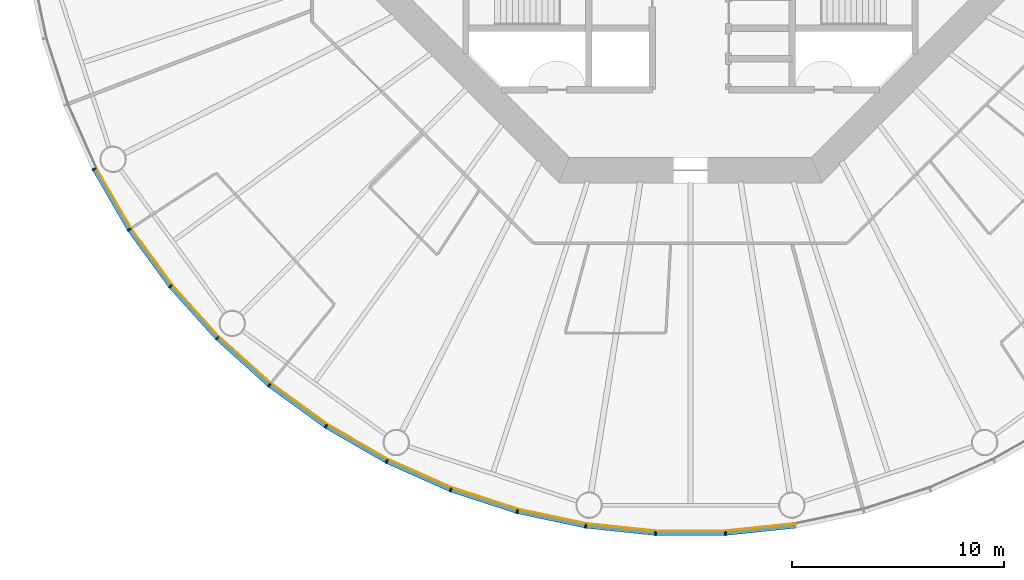
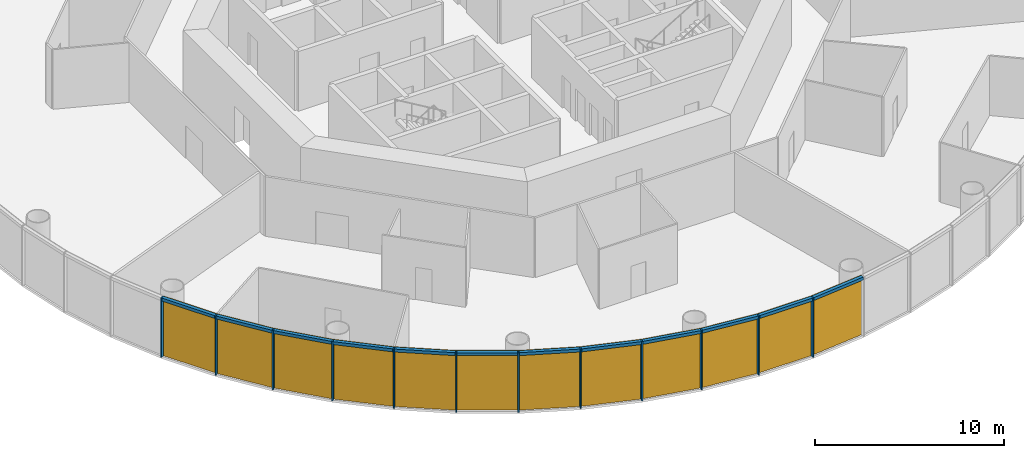
# One storey, part 7 of 13: 24 members, 4 curtain walls.
"""IFC4 building model written with IfcOpenShell, lengths in metres."""

from ifc_helpers import new_model, si_unit, direction, frame, origin, origin_2d, place, context, subcontext, project, spatial, polyline, rectangle, outline, extrude, material, layer, layer_set, material_profile, profile_set, type_object, element, aggregate, save


model = new_model("IFC4")

# Units and contexts
model_context = context("Model", 3, precision=1e-05, world=origin(), true_north=direction((0.0, 1.0)))
body_context = subcontext(model_context, "Body", "Model", "MODEL_VIEW")
ifc_project = project(units=[si_unit("LENGTHUNIT", "METRE"), si_unit("AREAUNIT", "SQUARE_METRE"), si_unit("VOLUMEUNIT", "CUBIC_METRE"), si_unit("PLANEANGLEUNIT", "RADIAN"), si_unit("MASSUNIT", "GRAM", prefix="KILO")], contexts=[model_context])

# Member
ifc_material_1 = material(Name="Anodised aluminium", Category="aluminium")
ifc_material_profile_1 = material_profile(ifc_material_1, rectangle(XDim=0.070068359375, YDim=0.199951171875, at=origin_2d()), Name="Mullion 70 x 200 mm anodised aluminium")
ifc_profile_set_1 = profile_set([ifc_material_profile_1], Name="Anodised aluminium")
member_type_1 = type_object("IfcMemberType", Name="Mullion 70 x 200 mm anodised aluminium", PredefinedType="MULLION", material=ifc_profile_set_1)
site_placement = place(None, origin())
building_placement = place(site_placement, origin())
storey_placement = place(building_placement, frame((0.0, 0.0, 120.0)))
member_1_placement = place(storey_placement, frame((61.84423828125, 65.65380859375, 0.0), z_axis=(0.0, 0.0, 1.0), x_axis=(0.45399049974, -0.891006524188, 0.0)))
member_1 = element("IfcMember", 1, at=member_1_placement, type_object=member_type_1, Name="MULLION L27-33", PredefinedType="MULLION", context=body_context, shape_type="SweptSolid", body=[
    extrude(rectangle(XDim=0.070068359375, YDim=0.199951171875, at=origin_2d()), origin(), (0.0, 0.0, 1.0), 3.85009765625),
])

member_2_placement = place(storey_placement, frame((63.498046875, 62.789306640625, 0.0), z_axis=(0.0, 0.0, 1.0), x_axis=(0.544639035015, -0.838670567945, 0.0)))
member_2 = element("IfcMember", 2, at=member_2_placement, type_object=member_type_1, Name="MULLION L27-34", PredefinedType="MULLION", context=body_context, shape_type="SweptSolid", body=[
    extrude(rectangle(XDim=0.070068359375, YDim=0.199951171875, at=origin_2d()), origin(), (0.0, 0.0, 1.0), 3.85009765625),
])

member_3_placement = place(storey_placement, frame((65.442138671875, 60.113525390625, 0.0), z_axis=(0.0, 0.0, 1.0), x_axis=(0.62932039105, -0.777145961457, 0.0)))
member_3 = element("IfcMember", 3, at=member_3_placement, type_object=member_type_1, Name="MULLION L27-35", PredefinedType="MULLION", context=body_context, shape_type="SweptSolid", body=[
    extrude(rectangle(XDim=0.070068359375, YDim=0.199951171875, at=origin_2d()), origin(), (0.0, 0.0, 1.0), 3.85009765625),
])

member_4_placement = place(storey_placement, frame((67.655517578125, 57.655517578125, 0.0), z_axis=(0.0, 0.0, 1.0), x_axis=(0.707106781187, -0.707106781187, 0.0)))
member_4 = element("IfcMember", 4, at=member_4_placement, type_object=member_type_1, Name="MULLION L27-36", PredefinedType="MULLION", context=body_context, shape_type="SweptSolid", body=[
    extrude(rectangle(XDim=0.070068359375, YDim=0.199951171875, at=origin_2d()), origin(), (0.0, 0.0, 1.0), 3.85009765625),
])

member_5_placement = place(storey_placement, frame((70.113525390625, 55.442138671875, 0.0), z_axis=(0.0, 0.0, 1.0), x_axis=(0.777145961457, -0.62932039105, 0.0)))
member_5 = element("IfcMember", 5, at=member_5_placement, type_object=member_type_1, Name="MULLION L27-37", PredefinedType="MULLION", context=body_context, shape_type="SweptSolid", body=[
    extrude(rectangle(XDim=0.070068359375, YDim=0.199951171875, at=origin_2d()), origin(), (0.0, 0.0, 1.0), 3.85009765625),
])

member_6_placement = place(storey_placement, frame((72.789306640625, 53.498046875, 0.0), z_axis=(0.0, 0.0, 1.0), x_axis=(0.838670567945, -0.544639035015, 0.0)))
member_6 = element("IfcMember", 6, at=member_6_placement, type_object=member_type_1, Name="MULLION L27-38", PredefinedType="MULLION", context=body_context, shape_type="SweptSolid", body=[
    extrude(rectangle(XDim=0.070068359375, YDim=0.199951171875, at=origin_2d()), origin(), (0.0, 0.0, 1.0), 3.85009765625),
])

member_7_placement = place(storey_placement, frame((75.65380859375, 51.84423828125, 0.0), z_axis=(0.0, 0.0, 1.0), x_axis=(0.891006524188, -0.45399049974, 0.0)))
member_7 = element("IfcMember", 7, at=member_7_placement, type_object=member_type_1, Name="MULLION L27-39", PredefinedType="MULLION", context=body_context, shape_type="SweptSolid", body=[
    extrude(rectangle(XDim=0.070068359375, YDim=0.199951171875, at=origin_2d()), origin(), (0.0, 0.0, 1.0), 3.85009765625),
])

member_8_placement = place(storey_placement, frame((78.675537109375, 50.498779296875, 0.0), z_axis=(0.0, 0.0, 1.0), x_axis=(0.933580426497, -0.358367949545, 0.0)))
member_8 = element("IfcMember", 8, at=member_8_placement, type_object=member_type_1, Name="MULLION L27-40", PredefinedType="MULLION", context=body_context, shape_type="SweptSolid", body=[
    extrude(rectangle(XDim=0.070068359375, YDim=0.199951171875, at=origin_2d()), origin(), (0.0, 0.0, 1.0), 3.85009765625),
])

member_9_placement = place(storey_placement, frame((81.8212890625, 49.476806640625, 0.0), z_axis=(0.0, 0.0, 1.0), x_axis=(0.965925826289, -0.258819045103, 0.0)))
member_9 = element("IfcMember", 9, at=member_9_placement, type_object=member_type_1, Name="MULLION L27-41", PredefinedType="MULLION", context=body_context, shape_type="SweptSolid", body=[
    extrude(rectangle(XDim=0.070068359375, YDim=0.199951171875, at=origin_2d()), origin(), (0.0, 0.0, 1.0), 3.85009765625),
])

member_10_placement = place(storey_placement, frame((85.056640625, 48.7890625, 0.0), z_axis=(0.0, 0.0, 1.0), x_axis=(0.987688340595, -0.15643446504, 0.0)))
member_10 = element("IfcMember", 10, at=member_10_placement, type_object=member_type_1, Name="MULLION L27-42", PredefinedType="MULLION", context=body_context, shape_type="SweptSolid", body=[
    extrude(rectangle(XDim=0.070068359375, YDim=0.199951171875, at=origin_2d()), origin(), (0.0, 0.0, 1.0), 3.85009765625),
])

member_11_placement = place(storey_placement, frame((88.34619140625, 48.443359375, 0.0), z_axis=(0.0, 0.0, 1.0), x_axis=(0.998629534755, -0.052335956243, 0.0)))
member_11 = element("IfcMember", 11, at=member_11_placement, type_object=member_type_1, Name="MULLION L27-43", PredefinedType="MULLION", context=body_context, shape_type="SweptSolid", body=[
    extrude(rectangle(XDim=0.070068359375, YDim=0.199951171875, at=origin_2d()), origin(), (0.0, 0.0, 1.0), 3.85009765625),
])

member_12_placement = place(storey_placement, frame((91.65380859375, 48.443359375, 0.0), z_axis=(0.0, 0.0, 1.0), x_axis=(0.998629534755, 0.052335956243, 0.0)))
member_12 = element("IfcMember", 12, at=member_12_placement, type_object=member_type_1, Name="MULLION L27-44", PredefinedType="MULLION", context=body_context, shape_type="SweptSolid", body=[
    extrude(rectangle(XDim=0.070068359375, YDim=0.199951171875, at=origin_2d()), origin(), (0.0, 0.0, 1.0), 3.85009765625),
])

ifc_material_2 = material(Name="Anodised aluminium", Category="aluminium")
ifc_material_profile_2 = material_profile(ifc_material_2, rectangle(XDim=0.199951171875, YDim=0.18994140625, at=origin_2d()), Name="Transom 190 x 200 mm anodised aluminium")
ifc_profile_set_2 = profile_set([ifc_material_profile_2], Name="Anodised aluminium")
member_type_2 = type_object("IfcMemberType", Name="Transom 190 x 200 mm anodised aluminium", PredefinedType="USERDEFINED", material=ifc_profile_set_2)
member_13_placement = place(storey_placement, frame((61.8642578125, 65.618896484375, 3.7548828125), z_axis=(0.500004055213, -0.866023062494, 0.0), x_axis=(0.866023062494, 0.500004055213, 0.0)))
member_13 = element("IfcMember", 13, at=member_13_placement, type_object=member_type_2, Name="TRANSOM L27-33", ObjectType="TRANSOM", PredefinedType="USERDEFINED", context=body_context, shape_type="SweptSolid", body=[
    extrude(rectangle(XDim=0.199951171875, YDim=0.18994140625, at=origin_2d()), origin(), (0.0, 0.0, 1.0), 3.22705078125),
])

member_14_placement = place(storey_placement, frame((63.521484375, 62.7568359375, 3.7548828125), z_axis=(0.587802790201, -0.809004252048, 0.0), x_axis=(0.809004252048, 0.587802790201, 0.0)))
member_14 = element("IfcMember", 14, at=member_14_placement, type_object=member_type_2, Name="TRANSOM L27-34", ObjectType="TRANSOM", PredefinedType="USERDEFINED", context=body_context, shape_type="SweptSolid", body=[
    extrude(rectangle(XDim=0.199951171875, YDim=0.18994140625, at=origin_2d()), origin(), (0.0, 0.0, 1.0), 3.227294921875),
])

member_15_placement = place(storey_placement, frame((65.468994140625, 60.08349609375, 3.7548828125), z_axis=(0.669144438484, -0.743132370743, 0.0), x_axis=(0.743132370743, 0.669144438484, 0.0)))
member_15 = element("IfcMember", 15, at=member_15_placement, type_object=member_type_2, Name="TRANSOM L27-35", ObjectType="TRANSOM", PredefinedType="USERDEFINED", context=body_context, shape_type="SweptSolid", body=[
    extrude(rectangle(XDim=0.199951171875, YDim=0.18994140625, at=origin_2d()), origin(), (0.0, 0.0, 1.0), 3.22705078125),
])

member_16_placement = place(storey_placement, frame((67.685302734375, 57.62841796875, 3.7548828125), z_axis=(0.743132370743, -0.669144438484, 0.0), x_axis=(0.669144438484, 0.743132370743, 0.0)))
member_16 = element("IfcMember", 16, at=member_16_placement, type_object=member_type_2, Name="TRANSOM L27-36", ObjectType="TRANSOM", PredefinedType="USERDEFINED", context=body_context, shape_type="SweptSolid", body=[
    extrude(rectangle(XDim=0.199951171875, YDim=0.18994140625, at=origin_2d()), origin(), (0.0, 0.0, 1.0), 3.22705078125),
])

member_17_placement = place(storey_placement, frame((70.14599609375, 55.41845703125, 3.7548828125), z_axis=(0.809004252048, -0.587802790201, 0.0), x_axis=(0.587802790201, 0.809004252048, 0.0)))
member_17 = element("IfcMember", 17, at=member_17_placement, type_object=member_type_2, Name="TRANSOM L27-37", ObjectType="TRANSOM", PredefinedType="USERDEFINED", context=body_context, shape_type="SweptSolid", body=[
    extrude(rectangle(XDim=0.199951171875, YDim=0.18994140625, at=origin_2d()), origin(), (0.0, 0.0, 1.0), 3.227294921875),
])

member_18_placement = place(storey_placement, frame((72.82421875, 53.477783203125, 3.7548828125), z_axis=(0.866023062494, -0.500004055213, 0.0), x_axis=(0.500004055213, 0.866023062494, 0.0)))
member_18 = element("IfcMember", 18, at=member_18_placement, type_object=member_type_2, Name="TRANSOM L27-38", ObjectType="TRANSOM", PredefinedType="USERDEFINED", context=body_context, shape_type="SweptSolid", body=[
    extrude(rectangle(XDim=0.199951171875, YDim=0.18994140625, at=origin_2d()), origin(), (0.0, 0.0, 1.0), 3.22705078125),
])

member_19_placement = place(storey_placement, frame((75.690673828125, 51.82763671875, 3.7548828125), z_axis=(0.913549291349, -0.406728032322, 0.0), x_axis=(0.406728032322, 0.913549291349, 0.0)))
member_19 = element("IfcMember", 19, at=member_19_placement, type_object=member_type_2, Name="TRANSOM L27-39", ObjectType="TRANSOM", PredefinedType="USERDEFINED", context=body_context, shape_type="SweptSolid", body=[
    extrude(rectangle(XDim=0.199951171875, YDim=0.18994140625, at=origin_2d()), origin(), (0.0, 0.0, 1.0), 3.22705078125),
])

member_20_placement = place(storey_placement, frame((78.7138671875, 50.486328125, 3.7548828125), z_axis=(0.951046855117, -0.309046726844, 0.0), x_axis=(0.309046726844, 0.951046855117, 0.0)))
member_20 = element("IfcMember", 20, at=member_20_placement, type_object=member_type_2, Name="TRANSOM L27-40", ObjectType="TRANSOM", PredefinedType="USERDEFINED", context=body_context, shape_type="SweptSolid", body=[
    extrude(rectangle(XDim=0.199951171875, YDim=0.18994140625, at=origin_2d()), origin(), (0.0, 0.0, 1.0), 3.22705078125),
])

member_21_placement = place(storey_placement, frame((81.860595703125, 49.46826171875, 3.7548828125), z_axis=(0.978153082647, -0.207885898771, 0.0), x_axis=(0.207885898771, 0.978153082647, 0.0)))
member_21 = element("IfcMember", 21, at=member_21_placement, type_object=member_type_2, Name="TRANSOM L27-41", ObjectType="TRANSOM", PredefinedType="USERDEFINED", context=body_context, shape_type="SweptSolid", body=[
    extrude(rectangle(XDim=0.199951171875, YDim=0.18994140625, at=origin_2d()), origin(), (0.0, 0.0, 1.0), 3.227294921875),
])

member_22_placement = place(storey_placement, frame((85.0966796875, 48.78466796875, 3.7548828125), z_axis=(0.994519537956, -0.104550890115, 0.0), x_axis=(0.104550890115, 0.994519537956, 0.0)))
member_22 = element("IfcMember", 22, at=member_22_placement, type_object=member_type_2, Name="TRANSOM L27-42", ObjectType="TRANSOM", PredefinedType="USERDEFINED", context=body_context, shape_type="SweptSolid", body=[
    extrude(rectangle(XDim=0.199951171875, YDim=0.18994140625, at=origin_2d()), origin(), (0.0, 0.0, 1.0), 3.22705078125),
])

member_23_placement = place(storey_placement, frame((88.386474609375, 48.443115234375, 3.7548828125), z_axis=(1.0, 0.0, 0.0), x_axis=(0.0, 1.0, 0.0)))
member_23 = element("IfcMember", 23, at=member_23_placement, type_object=member_type_2, Name="TRANSOM L27-43", ObjectType="TRANSOM", PredefinedType="USERDEFINED", context=body_context, shape_type="SweptSolid", body=[
    extrude(rectangle(XDim=0.199951171875, YDim=0.18994140625, at=origin_2d()), origin(), (0.0, 0.0, 1.0), 3.22705078125),
])

member_24_placement = place(storey_placement, frame((91.69384765625, 48.447265625, 3.7548828125), z_axis=(0.994519537956, 0.104550890115, 0.0), x_axis=(-0.104550890115, 0.994519537956, 0.0)))
member_24 = element("IfcMember", 24, at=member_24_placement, type_object=member_type_2, Name="TRANSOM L27-44", ObjectType="TRANSOM", PredefinedType="USERDEFINED", context=body_context, shape_type="SweptSolid", body=[
    extrude(rectangle(XDim=0.199951171875, YDim=0.18994140625, at=origin_2d()), origin(), (0.0, 0.0, 1.0), 3.22705078125),
])

# Site, building, storey
site = spatial("IfcSite", under=ifc_project, at=site_placement, CompositionType="ELEMENT")
building = spatial("IfcBuilding", under=site, at=building_placement, Name="Entoto Ring Tower", CompositionType="ELEMENT")
storey = spatial("IfcBuildingStorey", under=building, at=storey_placement, Name="L27", CompositionType="ELEMENT", Elevation=120.0)

# Curtain wall
ifc_material_3 = material(Name="Clear low-iron glass", Category="glass")
ifc_layer = layer(ifc_material_3, 0.035888671875)
ifc_layer_set = layer_set([ifc_layer], Name="Clear low-iron glass")
curtain_wall_type = type_object("IfcCurtainWallType", Name="Curtain wall system CW2 glazing 36 mm", PredefinedType="NOTDEFINED", material=ifc_layer_set)
curtain_wall_1_placement = place(storey_placement, origin())
curtain_wall_1 = element("IfcCurtainWall", 25, at=curtain_wall_1_placement, inside=storey, type_object=curtain_wall_type, Name="CW2 L27-12", PredefinedType="NOTDEFINED", context=body_context, shape_type="SweptSolid", body=[
    extrude(outline(polyline([(61.933349609375, 65.69921875), (63.581787109375, 62.84375), (65.52001953125, 60.176513671875), (67.72607421875, 57.72607421875), (67.751708984375, 57.751708984375), (65.5478515625, 60.198974609375), (63.612060546875, 62.863525390625), (61.96533203125, 65.715576171875), (61.933349609375, 65.69921875)])), origin(), (0.0, 0.0, 1.0), 3.85009765625),
])

aggregate(curtain_wall_1, [member_1, member_2, member_3, member_13, member_14, member_15])

curtain_wall_2_placement = place(storey_placement, origin())
curtain_wall_2 = element("IfcCurtainWall", 26, at=curtain_wall_2_placement, inside=storey, type_object=curtain_wall_type, Name="CW2 L27-13", PredefinedType="NOTDEFINED", context=body_context, shape_type="SweptSolid", body=[
    extrude(outline(polyline([(67.72607421875, 57.72607421875), (70.176513671875, 55.52001953125), (72.84375, 53.581787109375), (75.69921875, 51.933349609375), (75.715576171875, 51.96533203125), (72.863525390625, 53.612060546875), (70.198974609375, 55.5478515625), (67.751708984375, 57.751708984375), (67.72607421875, 57.72607421875)])), origin(), (0.0, 0.0, 1.0), 3.85009765625),
])

aggregate(curtain_wall_2, [member_4, member_5, member_6, member_16, member_17, member_18])

curtain_wall_3_placement = place(storey_placement, origin())
curtain_wall_3 = element("IfcCurtainWall", 27, at=curtain_wall_3_placement, inside=storey, type_object=curtain_wall_type, Name="CW2 L27-14", PredefinedType="NOTDEFINED", context=body_context, shape_type="SweptSolid", body=[
    extrude(outline(polyline([(75.69921875, 51.933349609375), (78.71142578125, 50.59228515625), (81.84716796875, 49.5732421875), (85.072265625, 48.8876953125), (85.077880859375, 48.92333984375), (81.8564453125, 49.608154296875), (78.724365234375, 50.6259765625), (75.715576171875, 51.96533203125), (75.69921875, 51.933349609375)])), origin(), (0.0, 0.0, 1.0), 3.85009765625),
])

aggregate(curtain_wall_3, [member_7, member_8, member_9, member_19, member_20, member_21])

curtain_wall_4_placement = place(storey_placement, origin())
curtain_wall_4 = element("IfcCurtainWall", 28, at=curtain_wall_4_placement, inside=storey, type_object=curtain_wall_type, Name="CW2 L27-15", PredefinedType="NOTDEFINED", context=body_context, shape_type="SweptSolid", body=[
    extrude(outline(polyline([(85.072265625, 48.8876953125), (88.351318359375, 48.543212890625), (91.648681640625, 48.543212890625), (94.927734375, 48.8876953125), (94.922119140625, 48.92333984375), (91.646728515625, 48.5791015625), (88.353271484375, 48.5791015625), (85.077880859375, 48.92333984375), (85.072265625, 48.8876953125)])), origin(), (0.0, 0.0, 1.0), 3.85009765625),
])

aggregate(curtain_wall_4, [member_10, member_11, member_12, member_22, member_23, member_24])

save(model, "model.ifc")
